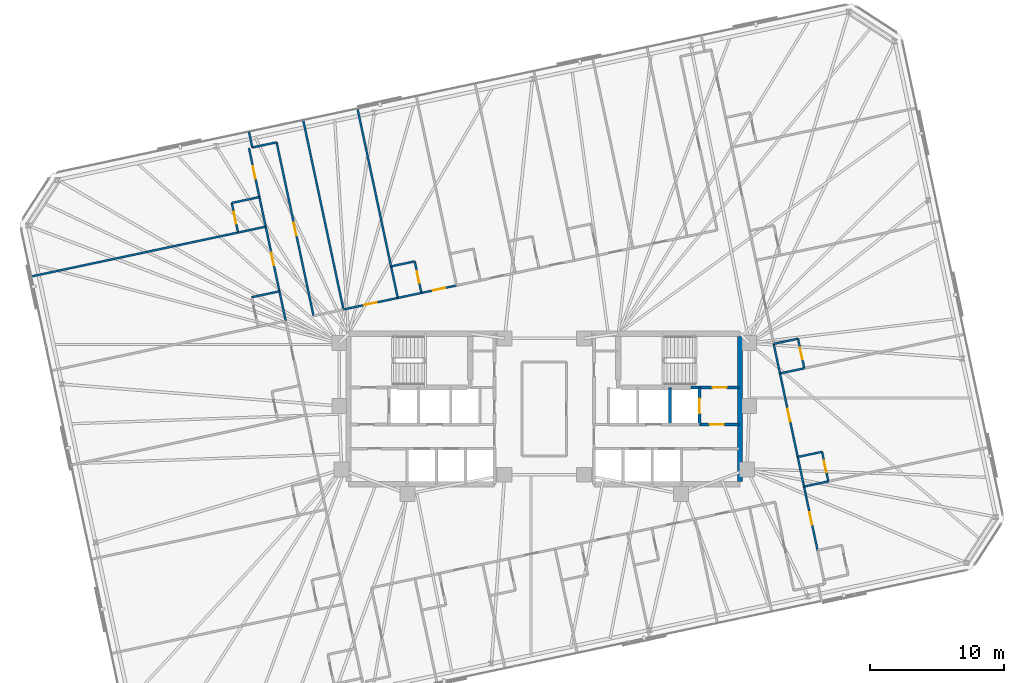
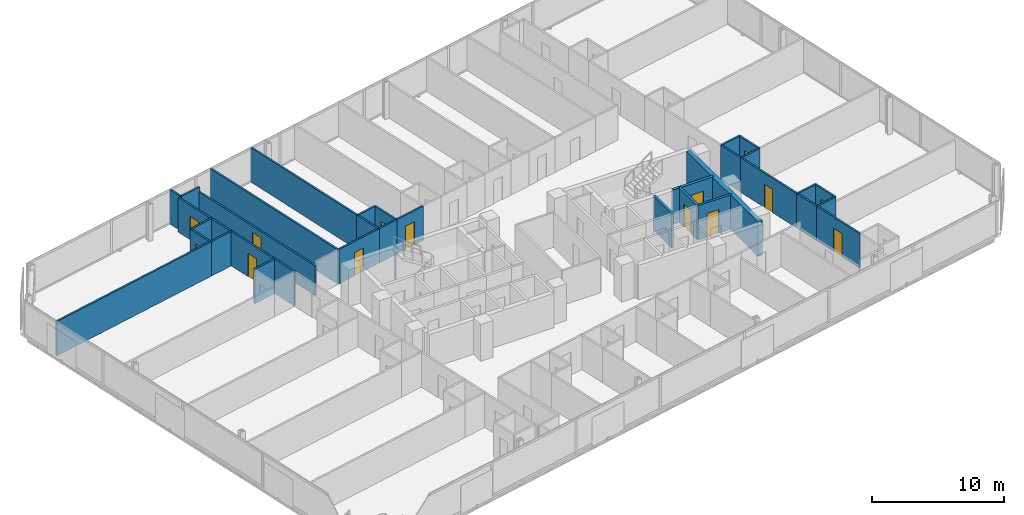
# One storey, part 17 of 20: 35 walls, 14 doors, 14 openings.
"""IFC4 building model written with IfcOpenShell, lengths in metres."""

from ifc_helpers import new_model, si_unit, direction, frame, frame_2d, origin, place, context, subcontext, project, spatial, rectangle, extrude, material, layer, layer_set, type_object, element, fill, save


model = new_model("IFC4")

# Units and contexts
model_context = context("Model", 3, precision=1e-05, world=origin(), true_north=direction((0.0, 1.0)))
body_context = subcontext(model_context, "Body", "Model", "MODEL_VIEW")
ifc_project = project(units=[si_unit("LENGTHUNIT", "METRE"), si_unit("AREAUNIT", "SQUARE_METRE"), si_unit("VOLUMEUNIT", "CUBIC_METRE"), si_unit("PLANEANGLEUNIT", "RADIAN"), si_unit("MASSUNIT", "GRAM", prefix="KILO")], contexts=[model_context])

# Site, building, storey
site_placement = place(None, origin())
site = spatial("IfcSite", under=ifc_project, at=site_placement, CompositionType="ELEMENT")
building_placement = place(site_placement, origin())
building = spatial("IfcBuilding", under=site, at=building_placement, Name="Menara Jurai Vektor", CompositionType="ELEMENT")
storey_placement = place(building_placement, frame((0.0, 0.0, 185.39990234375)))
storey = spatial("IfcBuildingStorey", under=building, at=storey_placement, Name="L48", CompositionType="ELEMENT", Elevation=185.39990234375)

# Wall, opening, door
ifc_material_1 = material(Name="Concrete C40/50", Category="concrete")
ifc_layer_1 = layer(ifc_material_1, 0.25)
ifc_layer_set_1 = layer_set([ifc_layer_1], Name="Concrete C40/50")
wall_type_1 = type_object("IfcWallType", Name="INT-WALL-CORE-250", PredefinedType="STANDARD", material=ifc_layer_set_1)
wall_1_placement = place(storey_placement, frame((10.89990234375, 1.60009765625, 0.0), z_axis=(0.0, 0.0, 1.0), x_axis=(1.0, 0.0, 0.0)))
wall_1 = element("IfcWall", 1, at=wall_1_placement, inside=storey, type_object=wall_type_1, Name="Interior Wall IW-250 L48", PredefinedType="STANDARD", context=body_context, shape_type="SweptSolid", body=[
    extrude(rectangle(XDim=3.60009765625, YDim=0.25, at=frame_2d((1.800048828125, 0.0))), origin(), (0.0, 0.0, 1.0), 3.175048828125),
])
opening_1_placement = place(wall_1_placement, frame((1.6201171875, 0.0, 0.0)))
opening_1 = element("IfcOpeningElement", 2, at=opening_1_placement, cuts=wall_1, Name="Opening D-L48-ST2", PredefinedType="OPENING", context=body_context, shape_type="SweptSolid", body=[
    extrude(rectangle(XDim=1.050048828125, YDim=2.14990234375, at=frame_2d((0.52490234375, 1.074951171875))), frame((0.0, 0.135009765625, 0.0), z_axis=(0.0, -1.0, 0.0), x_axis=(1.0, 0.0, 0.0)), (0.0, 0.0, 1.0), 0.27001953125),
])
ifc_material_2 = material(Name="Fire-Rated Steel Door", Category="steel")
door_type_1 = type_object("IfcDoorType", Name="DR-STAIR-1050", OperationType="NOTDEFINED", PredefinedType="DOOR", material=ifc_material_2)
door_1_placement = place(opening_1_placement, origin())
door_1 = element("IfcDoor", 3, at=door_1_placement, inside=storey, type_object=door_type_1, Name="Exit Stair ST2 Door L48", OperationType="SINGLE_SWING_LEFT", OverallHeight=2.14990234375, OverallWidth=1.050048828125, PredefinedType="DOOR", context=body_context, shape_type="SweptSolid", body=[
    extrude(rectangle(XDim=1.050048828125, YDim=2.14990234375, at=frame_2d((0.52490234375, 1.074951171875))), frame((0.0, 0.02490234375, 0.0), z_axis=(0.0, -1.0, 0.0), x_axis=(1.0, 0.0, 0.0)), (0.0, 0.0, 1.0), 0.050048828125),
])
fill(opening_1, door_1)

wall_2_placement = place(storey_placement, frame((11.550048828125, -1.14990234375, 0.0), z_axis=(0.0, 0.0, 1.0), x_axis=(0.0, 1.0, 0.0)))
wall_2 = element("IfcWall", 4, at=wall_2_placement, inside=storey, type_object=wall_type_1, Name="Interior Wall IW-250 L48", PredefinedType="STANDARD", context=body_context, shape_type="SweptSolid", body=[
    extrude(rectangle(XDim=2.75, YDim=0.199951171875, at=frame_2d((1.375, 0.0))), origin(), (0.0, 0.0, 1.0), 3.175048828125),
])
opening_2_placement = place(wall_2_placement, frame((0.824951171875, 0.0, 0.0)))
opening_2 = element("IfcOpeningElement", 5, at=opening_2_placement, cuts=wall_2, Name="Opening LD-L48-FL2", PredefinedType="OPENING", context=body_context, shape_type="SweptSolid", body=[
    extrude(rectangle(XDim=1.10009765625, YDim=2.14990234375, at=frame_2d((0.550048828125, 1.074951171875))), frame((0.0, 0.10986328125, 0.0), z_axis=(0.0, -1.0, 0.0), x_axis=(1.0, 0.0, 0.0)), (0.0, 0.0, 1.0), 0.219970703125),
])
ifc_material_3 = material(Name="Stainless Steel Sliding Lift Landing Door", Category="steel")
door_type_2 = type_object("IfcDoorType", Name="DR-LIFT-FIRE-1100", OperationType="NOTDEFINED", PredefinedType="DOOR", material=ifc_material_3)
door_2_placement = place(opening_2_placement, origin())
door_2 = element("IfcDoor", 6, at=door_2_placement, inside=storey, type_object=door_type_2, Name="Lift Landing Door FL2 L48", OperationType="SLIDING_TO_RIGHT", OverallHeight=2.14990234375, OverallWidth=1.10009765625, PredefinedType="DOOR", context=body_context, shape_type="SweptSolid", body=[
    extrude(rectangle(XDim=1.10009765625, YDim=2.14990234375, at=frame_2d((0.550048828125, 1.074951171875))), frame((0.0, 0.02490234375, 0.0), z_axis=(0.0, -1.0, 0.0), x_axis=(1.0, 0.0, 0.0)), (0.0, 0.0, 1.0), 0.050048828125),
])
fill(opening_2, door_2)

# Wall
wall_3_placement = place(storey_placement, frame((9.35009765625, -1.14990234375, 0.0), z_axis=(0.0, 0.0, 1.0), x_axis=(0.0, 1.0, 0.0)))
element("IfcWall", 7, at=wall_3_placement, inside=storey, type_object=wall_type_1, Name="Interior Wall IW-250 L48", PredefinedType="STANDARD", context=body_context, shape_type="SweptSolid", body=[
    extrude(rectangle(XDim=2.75, YDim=0.199951171875, at=frame_2d((1.375, 0.0))), origin(), (0.0, 0.0, 1.0), 3.175048828125),
])

# Wall, opening, door
wall_4_placement = place(storey_placement, frame((11.550048828125, -1.14990234375, 0.0), z_axis=(0.0, 0.0, 1.0), x_axis=(1.0, 0.0, 0.0)))
wall_4 = element("IfcWall", 8, at=wall_4_placement, inside=storey, type_object=wall_type_1, Name="Interior Wall IW-250 L48", PredefinedType="STANDARD", context=body_context, shape_type="SweptSolid", body=[
    extrude(rectangle(XDim=2.949951171875, YDim=0.199951171875, at=frame_2d((1.47509765625, 0.0))), origin(), (0.0, 0.0, 1.0), 3.175048828125),
])
opening_3_placement = place(wall_4_placement, frame((0.75, 0.0, 0.0)))
opening_3 = element("IfcOpeningElement", 9, at=opening_3_placement, cuts=wall_4, Name="Opening D-L48-FFE", PredefinedType="OPENING", context=body_context, shape_type="SweptSolid", body=[
    extrude(rectangle(XDim=1.050048828125, YDim=2.179931640625, at=frame_2d((0.52490234375, 1.08984375))), frame((0.0, 0.10986328125, 0.0), z_axis=(0.0, -1.0, 0.0), x_axis=(1.0, 0.0, 0.0)), (0.0, 0.0, 1.0), 0.219970703125),
])
ifc_material_4 = material(Name="Fire-Rated Timber Door", Category="wood")
door_type_3 = type_object("IfcDoorType", Name="DR-LOBBY-1050", OperationType="NOTDEFINED", PredefinedType="DOOR", material=ifc_material_4)
door_3_placement = place(opening_3_placement, origin())
door_3 = element("IfcDoor", 10, at=door_3_placement, inside=storey, type_object=door_type_3, Name="Fire Lift Lobby Door E L48", OperationType="SINGLE_SWING_LEFT", OverallHeight=2.179931640625, OverallWidth=1.050048828125, PredefinedType="DOOR", context=body_context, shape_type="SweptSolid", body=[
    extrude(rectangle(XDim=1.050048828125, YDim=2.179931640625, at=frame_2d((0.52490234375, 1.08984375))), frame((0.0, 0.02490234375, 0.0), z_axis=(0.0, -1.0, 0.0), x_axis=(1.0, 0.0, 0.0)), (0.0, 0.0, 1.0), 0.050048828125),
])
fill(opening_3, door_3)

# Wall
ifc_material_5 = material(Name="Gypsum Fireboard Partition", Category="gypsum")
ifc_layer_2 = layer(ifc_material_5, 0.14990234375)
ifc_layer_set_2 = layer_set([ifc_layer_2], Name="Gypsum Fireboard Partition")
wall_type_2 = type_object("IfcWallType", Name="INT-WALL-CORR-150", PredefinedType="PARTITIONING", material=ifc_layer_set_2)
wall_5_placement = place(storey_placement, frame((-21.71533203125, 19.447998046875, 0.0), z_axis=(0.0, 0.0, 1.0), x_axis=(0.978160192495, 0.207852442415, 0.0)))
element("IfcWall", 11, at=wall_5_placement, inside=storey, type_object=wall_type_2, Name="Interior Wall IW-150 L48", PredefinedType="PARTITIONING", context=body_context, shape_type="SweptSolid", body=[
    extrude(rectangle(XDim=1.849853515625, YDim=0.14990234375, at=frame_2d((0.9248046875, 0.0))), origin(), (0.0, 0.0, 1.0), 3.175048828125),
])

# Wall, opening, door
wall_6_placement = place(storey_placement, frame((-14.935302734375, 7.3994140625, 0.0), z_axis=(0.0, 0.0, 1.0), x_axis=(0.978153289129, 0.20788492722, 0.0)))
wall_6 = element("IfcWall", 12, at=wall_6_placement, inside=storey, type_object=wall_type_2, Name="Interior Wall IW-150 L48", PredefinedType="PARTITIONING", context=body_context, shape_type="SweptSolid", body=[
    extrude(rectangle(XDim=4.1279296875, YDim=0.14990234375, at=frame_2d((2.06396484375, 0.0))), origin(), (0.0, 0.0, 1.0), 3.175048828125),
])
opening_4_placement = place(wall_6_placement, frame((1.60400390625, 0.0, 0.0)))
opening_4 = element("IfcOpeningElement", 13, at=opening_4_placement, cuts=wall_6, Name="Opening D48-08", PredefinedType="OPENING", context=body_context, shape_type="SweptSolid", body=[
    extrude(rectangle(XDim=0.919921875, YDim=2.14990234375, at=frame_2d((0.4599609375, 1.074951171875))), frame((0.0, 0.0849609375, 0.0), z_axis=(0.0, -1.0, 0.0), x_axis=(1.0, 0.0, 0.0)), (0.0, 0.0, 1.0), 0.169921875),
])
ifc_material_6 = material(Name="Solid Core Timber Fire Door", Category="wood")
door_type_4 = type_object("IfcDoorType", Name="DR-ENTRY-950", OperationType="NOTDEFINED", PredefinedType="DOOR", material=ifc_material_6)
door_4_placement = place(opening_4_placement, origin())
door_4 = element("IfcDoor", 14, at=door_4_placement, inside=storey, type_object=door_type_4, Name="Interior Door D48-08", OperationType="SINGLE_SWING_LEFT", OverallHeight=2.14990234375, OverallWidth=0.919921875, PredefinedType="DOOR", context=body_context, shape_type="SweptSolid", body=[
    extrude(rectangle(XDim=0.919921875, YDim=2.14990234375, at=frame_2d((0.4599609375, 1.074951171875))), frame((0.0, 0.02490234375, 0.0), z_axis=(0.0, -1.0, 0.0), x_axis=(1.0, 0.0, 0.0)), (0.0, 0.0, 1.0), 0.050048828125),
])
fill(opening_4, door_4)

wall_7_placement = place(storey_placement, frame((-9.13671875, 8.6318359375, 0.0), z_axis=(0.0, 0.0, 1.0), x_axis=(0.978158153975, 0.207862035524, 0.0)))
wall_7 = element("IfcWall", 15, at=wall_7_placement, inside=storey, type_object=wall_type_2, Name="Interior Wall IW-150 L48", PredefinedType="PARTITIONING", context=body_context, shape_type="SweptSolid", body=[
    extrude(rectangle(XDim=2.6708984375, YDim=0.14990234375, at=frame_2d((1.33544921875, 0.0))), origin(), (0.0, 0.0, 1.0), 3.175048828125),
])
opening_5_placement = place(wall_7_placement, frame((0.87548828125, 0.0, 0.0)))
opening_5 = element("IfcOpeningElement", 16, at=opening_5_placement, cuts=wall_7, Name="Opening D48-09", PredefinedType="OPENING", context=body_context, shape_type="SweptSolid", body=[
    extrude(rectangle(XDim=0.919921875, YDim=2.14990234375, at=frame_2d((0.4599609375, 1.074951171875))), frame((0.0, 0.0849609375, 0.0), z_axis=(0.0, -1.0, 0.0), x_axis=(1.0, 0.0, 0.0)), (0.0, 0.0, 1.0), 0.169921875),
])
door_5_placement = place(opening_5_placement, origin())
door_5 = element("IfcDoor", 17, at=door_5_placement, inside=storey, type_object=door_type_4, Name="Interior Door D48-09", OperationType="SINGLE_SWING_RIGHT", OverallHeight=2.14990234375, OverallWidth=0.919921875, PredefinedType="DOOR", context=body_context, shape_type="SweptSolid", body=[
    extrude(rectangle(XDim=0.919921875, YDim=2.14990234375, at=frame_2d((0.4599609375, 1.074951171875))), frame((0.0, 0.02490234375, 0.0), z_axis=(0.0, -1.0, 0.0), x_axis=(1.0, 0.0, 0.0)), (0.0, 0.0, 1.0), 0.050048828125),
])
fill(opening_5, door_5)

# Wall
wall_8_placement = place(storey_placement, frame((-10.8974609375, 8.257568359375, 0.0), z_axis=(0.0, 0.0, 1.0), x_axis=(0.978146440129, 0.207917150959, 0.0)))
element("IfcWall", 18, at=wall_8_placement, inside=storey, type_object=wall_type_2, Name="Interior Wall IW-150 L48", PredefinedType="PARTITIONING", context=body_context, shape_type="SweptSolid", body=[
    extrude(rectangle(XDim=1.800048828125, YDim=0.14990234375, at=frame_2d((0.89990234375, 0.0))), origin(), (0.0, 0.0, 1.0), 3.175048828125),
])

# Wall, opening, door
wall_9_placement = place(storey_placement, frame((-19.697265625, 8.750732421875, 0.0), z_axis=(0.0, 0.0, 1.0), x_axis=(-0.207887265829, 0.978152792107, 0.0)))
wall_9 = element("IfcWall", 19, at=wall_9_placement, inside=storey, type_object=wall_type_2, Name="Interior Wall IW-150 L48", PredefinedType="PARTITIONING", context=body_context, shape_type="SweptSolid", body=[
    extrude(rectangle(XDim=4.916015625, YDim=0.14990234375, at=frame_2d((2.4580078125, 0.0))), origin(), (0.0, 0.0, 1.0), 3.175048828125),
])
opening_6_placement = place(wall_9_placement, frame((1.98291015625, 0.0, 0.0)))
opening_6 = element("IfcOpeningElement", 20, at=opening_6_placement, cuts=wall_9, Name="Opening D48-38", PredefinedType="OPENING", context=body_context, shape_type="SweptSolid", body=[
    extrude(rectangle(XDim=0.949951171875, YDim=2.14990234375, at=frame_2d((0.47509765625, 1.074951171875))), frame((0.0, 0.0849609375, 0.0), z_axis=(0.0, -1.0, 0.0), x_axis=(1.0, 0.0, 0.0)), (0.0, 0.0, 1.0), 0.169921875),
])
door_6_placement = place(opening_6_placement, origin())
door_6 = element("IfcDoor", 21, at=door_6_placement, inside=storey, type_object=door_type_4, Name="Interior Door D48-38", OperationType="SINGLE_SWING_LEFT", OverallHeight=2.14990234375, OverallWidth=0.949951171875, PredefinedType="DOOR", context=body_context, shape_type="SweptSolid", body=[
    extrude(rectangle(XDim=0.949951171875, YDim=2.14990234375, at=frame_2d((0.47509765625, 1.074951171875))), frame((0.0, 0.02490234375, 0.0), z_axis=(0.0, -1.0, 0.0), x_axis=(1.0, 0.0, 0.0)), (0.0, 0.0, 1.0), 0.050048828125),
])
fill(opening_6, door_6)

# Wall
wall_10_placement = place(storey_placement, frame((-19.2294921875, 6.5498046875, 0.0), z_axis=(0.0, 0.0, 1.0), x_axis=(-0.207891197838, 0.978151956427, 0.0)))
element("IfcWall", 22, at=wall_10_placement, inside=storey, type_object=wall_type_2, Name="Interior Wall IW-150 L48", PredefinedType="PARTITIONING", context=body_context, shape_type="SweptSolid", body=[
    extrude(rectangle(XDim=2.25, YDim=0.14990234375, at=frame_2d((1.125, 0.0))), origin(), (0.0, 0.0, 1.0), 3.175048828125),
])

# Wall, opening, door
wall_11_placement = place(storey_placement, frame((-21.18701171875, 15.76025390625, 0.0), z_axis=(0.0, 0.0, 1.0), x_axis=(-0.207949879289, 0.978139482745, 0.0)))
wall_11 = element("IfcWall", 23, at=wall_11_placement, inside=storey, type_object=wall_type_2, Name="Interior Wall IW-150 L48", PredefinedType="PARTITIONING", context=body_context, shape_type="SweptSolid", body=[
    extrude(rectangle(XDim=3.717041015625, YDim=0.14990234375, at=frame_2d((1.8583984375, 0.0))), origin(), (0.0, 0.0, 1.0), 3.175048828125),
])
opening_7_placement = place(wall_11_placement, frame((1.383544921875, 0.0, 0.0)))
opening_7 = element("IfcOpeningElement", 24, at=opening_7_placement, cuts=wall_11, Name="Opening D48-40", PredefinedType="OPENING", context=body_context, shape_type="SweptSolid", body=[
    extrude(rectangle(XDim=0.949951171875, YDim=2.14990234375, at=frame_2d((0.47509765625, 1.074951171875))), frame((0.0, 0.0849609375, 0.0), z_axis=(0.0, -1.0, 0.0), x_axis=(1.0, 0.0, 0.0)), (0.0, 0.0, 1.0), 0.169921875),
])
door_7_placement = place(opening_7_placement, origin())
door_7 = element("IfcDoor", 25, at=door_7_placement, inside=storey, type_object=door_type_4, Name="Interior Door D48-40", OperationType="SINGLE_SWING_LEFT", OverallHeight=2.14990234375, OverallWidth=0.949951171875, PredefinedType="DOOR", context=body_context, shape_type="SweptSolid", body=[
    extrude(rectangle(XDim=0.949951171875, YDim=2.14990234375, at=frame_2d((0.47509765625, 1.074951171875))), frame((0.0, 0.02490234375, 0.0), z_axis=(0.0, -1.0, 0.0), x_axis=(1.0, 0.0, 0.0)), (0.0, 0.0, 1.0), 0.050048828125),
])
fill(opening_7, door_7)

# Wall
wall_12_placement = place(storey_placement, frame((-20.71923828125, 13.559326171875, 0.0), z_axis=(0.0, 0.0, 1.0), x_axis=(-0.207891197838, 0.978151956427, 0.0)))
element("IfcWall", 26, at=wall_12_placement, inside=storey, type_object=wall_type_2, Name="Interior Wall IW-150 L48", PredefinedType="PARTITIONING", context=body_context, shape_type="SweptSolid", body=[
    extrude(rectangle(XDim=2.25, YDim=0.14990234375, at=frame_2d((1.125, 0.0))), origin(), (0.0, 0.0, 1.0), 3.175048828125),
])

# Wall, opening, door
wall_13_placement = place(storey_placement, frame((20.328125, -10.515380859375, 0.0), z_axis=(0.0, 0.0, 1.0), x_axis=(-0.207950868925, 0.97813927235, 0.0)))
wall_13 = element("IfcWall", 27, at=wall_13_placement, inside=storey, type_object=wall_type_2, Name="Interior Wall IW-150 L48", PredefinedType="PARTITIONING", context=body_context, shape_type="SweptSolid", body=[
    extrude(rectangle(XDim=4.849853515625, YDim=0.14990234375, at=frame_2d((2.4248046875, 0.0))), origin(), (0.0, 0.0, 1.0), 3.175048828125),
])
opening_8_placement = place(wall_13_placement, frame((1.949951171875, 0.0, 0.0)))
opening_8 = element("IfcOpeningElement", 28, at=opening_8_placement, cuts=wall_13, Name="Opening D48-42", PredefinedType="OPENING", context=body_context, shape_type="SweptSolid", body=[
    extrude(rectangle(XDim=0.949951171875, YDim=2.14990234375, at=frame_2d((0.47509765625, 1.074951171875))), frame((0.0, 0.0849609375, 0.0), z_axis=(0.0, -1.0, 0.0), x_axis=(1.0, 0.0, 0.0)), (0.0, 0.0, 1.0), 0.169921875),
])
door_8_placement = place(opening_8_placement, origin())
door_8 = element("IfcDoor", 29, at=door_8_placement, inside=storey, type_object=door_type_4, Name="Interior Door D48-42", OperationType="SINGLE_SWING_LEFT", OverallHeight=2.14990234375, OverallWidth=0.949951171875, PredefinedType="DOOR", context=body_context, shape_type="SweptSolid", body=[
    extrude(rectangle(XDim=0.949951171875, YDim=2.14990234375, at=frame_2d((0.47509765625, 1.074951171875))), frame((0.0, 0.02490234375, 0.0), z_axis=(0.0, -1.0, 0.0), x_axis=(1.0, 0.0, 0.0)), (0.0, 0.0, 1.0), 0.050048828125),
])
fill(opening_8, door_8)

wall_14_placement = place(storey_placement, frame((18.851806640625, -3.57080078125, 0.0), z_axis=(0.0, 0.0, 1.0), x_axis=(-0.207879907349, 0.978154355979, 0.0)))
wall_14 = element("IfcWall", 30, at=wall_14_placement, inside=storey, type_object=wall_type_2, Name="Interior Wall IW-150 L48", PredefinedType="PARTITIONING", context=body_context, shape_type="SweptSolid", body=[
    extrude(rectangle(XDim=6.35009765625, YDim=0.14990234375, at=frame_2d((3.175048828125, 0.0))), origin(), (0.0, 0.0, 1.0), 3.175048828125),
])
opening_9_placement = place(wall_14_placement, frame((2.699951171875, 0.0, 0.0)))
opening_9 = element("IfcOpeningElement", 31, at=opening_9_placement, cuts=wall_14, Name="Opening D48-44", PredefinedType="OPENING", context=body_context, shape_type="SweptSolid", body=[
    extrude(rectangle(XDim=0.949951171875, YDim=2.14990234375, at=frame_2d((0.47509765625, 1.074951171875))), frame((0.0, 0.0849609375, 0.0), z_axis=(0.0, -1.0, 0.0), x_axis=(1.0, 0.0, 0.0)), (0.0, 0.0, 1.0), 0.169921875),
])
door_9_placement = place(opening_9_placement, origin())
door_9 = element("IfcDoor", 32, at=door_9_placement, inside=storey, type_object=door_type_4, Name="Interior Door D48-44", OperationType="SINGLE_SWING_LEFT", OverallHeight=2.14990234375, OverallWidth=0.949951171875, PredefinedType="DOOR", context=body_context, shape_type="SweptSolid", body=[
    extrude(rectangle(XDim=0.949951171875, YDim=2.14990234375, at=frame_2d((0.47509765625, 1.074951171875))), frame((0.0, 0.02490234375, 0.0), z_axis=(0.0, -1.0, 0.0), x_axis=(1.0, 0.0, 0.0)), (0.0, 0.0, 1.0), 0.050048828125),
])
fill(opening_9, door_9)

# Walls
for number, where, z_axis, x_axis, name in (
    (33, (19.319580078125, -5.771484375, 0.0), (0.0, 0.0, 1.0), (-0.207913264065, 0.978147266328, 0.0), "Interior Wall IW-150 L48"),
    (34, (17.53173828125, 2.640625, 0.0), (0.0, 0.0, 1.0), (-0.207913264065, 0.978147266328, 0.0), "Interior Wall IW-150 L48"),
):
    element("IfcWall", number, at=place(storey_placement, frame(where, z_axis=z_axis, x_axis=x_axis)), inside=storey, type_object=wall_type_2, Name=name, PredefinedType="PARTITIONING", context=body_context, shape_type="SweptSolid", body=[
        extrude(rectangle(XDim=2.249755859375, YDim=0.14990234375, at=frame_2d((1.125, 0.0))), origin(), (0.0, 0.0, 1.0), 3.175048828125),
    ])
wall_15_placement = place(storey_placement, frame((-14.935302734375, 7.3994140625, 0.0), z_axis=(0.0, 0.0, 1.0), x_axis=(-0.207899121568, 0.978150272326, 0.0)))
element("IfcWall", 35, at=wall_15_placement, inside=storey, type_object=wall_type_2, Name="Interior Wall IW-150 L48", PredefinedType="PARTITIONING", context=body_context, shape_type="SweptSolid", body=[
    extrude(rectangle(XDim=14.394775390625, YDim=0.14990234375, at=frame_2d((7.197265625, 0.0))), origin(), (0.0, 0.0, 1.0), 3.175048828125),
])
wall_16_placement = place(storey_placement, frame((-21.71533203125, 19.447998046875, 0.0), z_axis=(0.0, 0.0, 1.0), x_axis=(-0.20795853359, 0.978137642823, 0.0)))
element("IfcWall", 36, at=wall_16_placement, inside=storey, type_object=wall_type_2, Name="Interior Wall IW-150 L48", PredefinedType="PARTITIONING", context=body_context, shape_type="SweptSolid", body=[
    extrude(rectangle(XDim=1.19970703125, YDim=0.14990234375, at=frame_2d((0.599853515625, 0.0))), origin(), (0.0, 0.0, 1.0), 3.175048828125),
])
wall_17_placement = place(storey_placement, frame((-11.396484375, 10.60498046875, 0.0), z_axis=(0.0, 0.0, 1.0), x_axis=(-0.207910848762, 0.978147779718, 0.0)))
element("IfcWall", 37, at=wall_17_placement, inside=storey, type_object=wall_type_2, Name="Interior Wall IW-150 L48", PredefinedType="PARTITIONING", context=body_context, shape_type="SweptSolid", body=[
    extrude(rectangle(XDim=11.9951171875, YDim=0.14990234375, at=frame_2d((5.99755859375, 0.0))), origin(), (0.0, 0.0, 1.0), 3.175048828125),
])
wall_18_placement = place(storey_placement, frame((-10.8974609375, 8.257568359375, 0.0), z_axis=(0.0, 0.0, 1.0), x_axis=(-0.207937840262, 0.978142042133, 0.0)))
element("IfcWall", 38, at=wall_18_placement, inside=storey, type_object=wall_type_2, Name="Interior Wall IW-150 L48", PredefinedType="PARTITIONING", context=body_context, shape_type="SweptSolid", body=[
    extrude(rectangle(XDim=2.39990234375, YDim=0.14990234375, at=frame_2d((1.199951171875, 0.0))), origin(), (0.0, 0.0, 1.0), 3.175048828125),
])
wall_19_placement = place(storey_placement, frame((-11.396484375, 10.60498046875, 0.0), z_axis=(0.0, 0.0, 1.0), x_axis=(0.978118849246, 0.208046909975, 0.0)))
element("IfcWall", 39, at=wall_19_placement, inside=storey, type_object=wall_type_2, Name="Interior Wall IW-150 L48", PredefinedType="PARTITIONING", context=body_context, shape_type="SweptSolid", body=[
    extrude(rectangle(XDim=1.800048828125, YDim=0.14990234375, at=frame_2d((0.89990234375, 0.0))), origin(), (0.0, 0.0, 1.0), 3.175048828125),
])

# Wall, opening, door
wall_20_placement = place(storey_placement, frame((-9.13671875, 8.6318359375, 0.0), z_axis=(0.0, 0.0, 1.0), x_axis=(-0.207917150959, 0.978146440129, 0.0)))
wall_20 = element("IfcWall", 40, at=wall_20_placement, inside=storey, type_object=wall_type_2, Name="Interior Wall IW-150 L48", PredefinedType="PARTITIONING", context=body_context, shape_type="SweptSolid", body=[
    extrude(rectangle(XDim=2.400146484375, YDim=0.14990234375, at=frame_2d((1.2001953125, 0.0))), origin(), (0.0, 0.0, 1.0), 3.175048828125),
])
opening_10_placement = place(wall_20_placement, frame((0.760009765625, 0.0, 0.0)))
opening_10 = element("IfcOpeningElement", 41, at=opening_10_placement, cuts=wall_20, Name="Opening D48-10", PredefinedType="OPENING", context=body_context, shape_type="SweptSolid", body=[
    extrude(rectangle(XDim=0.8798828125, YDim=2.14990234375, at=frame_2d((0.43994140625, 1.074951171875))), frame((0.0, 0.0849609375, 0.0), z_axis=(0.0, -1.0, 0.0), x_axis=(1.0, 0.0, 0.0)), (0.0, 0.0, 1.0), 0.169921875),
])
ifc_material_7 = material(Name="Moisture-Resistant Timber Door", Category="wood")
door_type_5 = type_object("IfcDoorType", Name="DR-BATH-880", OperationType="NOTDEFINED", PredefinedType="DOOR", material=ifc_material_7)
door_10_placement = place(opening_10_placement, origin())
door_10 = element("IfcDoor", 42, at=door_10_placement, inside=storey, type_object=door_type_5, Name="Interior Door D48-10", OperationType="SINGLE_SWING_LEFT", OverallHeight=2.14990234375, OverallWidth=0.8798828125, PredefinedType="DOOR", context=body_context, shape_type="SweptSolid", body=[
    extrude(rectangle(XDim=0.8798828125, YDim=2.14990234375, at=frame_2d((0.43994140625, 1.074951171875))), frame((0.0, 0.02490234375, 0.0), z_axis=(0.0, -1.0, 0.0), x_axis=(1.0, 0.0, 0.0)), (0.0, 0.0, 1.0), 0.050048828125),
])
fill(opening_10, door_10)

# Walls
wall_21_placement = place(storey_placement, frame((-21.751220703125, 8.314208984375, 0.0), z_axis=(0.0, 0.0, 1.0), x_axis=(0.978153236239, 0.207885176084, 0.0)))
element("IfcWall", 43, at=wall_21_placement, inside=storey, type_object=wall_type_2, Name="Interior Wall IW-150 L48", PredefinedType="PARTITIONING", context=body_context, shape_type="SweptSolid", body=[
    extrude(rectangle(XDim=2.099853515625, YDim=0.14990234375, at=frame_2d((1.0498046875, 0.0))), origin(), (0.0, 0.0, 1.0), 3.175048828125),
])
wall_22_placement = place(storey_placement, frame((-38.14794921875, 9.854736328125, 0.0), z_axis=(0.0, 0.0, 1.0), x_axis=(0.978146137903, 0.207918572776, 0.0)))
element("IfcWall", 44, at=wall_22_placement, inside=storey, type_object=wall_type_2, Name="Interior Wall IW-150 L48", PredefinedType="PARTITIONING", context=body_context, shape_type="SweptSolid", body=[
    extrude(rectangle(XDim=15.718017578125, YDim=0.14990234375, at=frame_2d((7.85888671875, 0.0))), origin(), (0.0, 0.0, 1.0), 3.175048828125),
])
wall_23_placement = place(storey_placement, frame((-22.7734375, 13.122802734375, 0.0), z_axis=(0.0, 0.0, 1.0), x_axis=(0.97815826, 0.207861536591, 0.0)))
element("IfcWall", 45, at=wall_23_placement, inside=storey, type_object=wall_type_2, Name="Interior Wall IW-150 L48", PredefinedType="PARTITIONING", context=body_context, shape_type="SweptSolid", body=[
    extrude(rectangle(XDim=2.10009765625, YDim=0.14990234375, at=frame_2d((1.050048828125, 0.0))), origin(), (0.0, 0.0, 1.0), 3.175048828125),
])

# Wall, opening, door
wall_24_placement = place(storey_placement, frame((-22.7734375, 13.122802734375, 0.0), z_axis=(0.0, 0.0, 1.0), x_axis=(-0.207913264065, 0.978147266328, 0.0)))
wall_24 = element("IfcWall", 46, at=wall_24_placement, inside=storey, type_object=wall_type_2, Name="Interior Wall IW-150 L48", PredefinedType="PARTITIONING", context=body_context, shape_type="SweptSolid", body=[
    extrude(rectangle(XDim=2.249755859375, YDim=0.14990234375, at=frame_2d((1.125, 0.0))), origin(), (0.0, 0.0, 1.0), 3.175048828125),
])
opening_11_placement = place(wall_24_placement, frame((0.68505859375, 0.0, 0.0)))
opening_11 = element("IfcOpeningElement", 47, at=opening_11_placement, cuts=wall_24, Name="Opening D48-41", PredefinedType="OPENING", context=body_context, shape_type="SweptSolid", body=[
    extrude(rectangle(XDim=0.8798828125, YDim=2.14990234375, at=frame_2d((0.43994140625, 1.074951171875))), frame((0.0, 0.0849609375, 0.0), z_axis=(0.0, -1.0, 0.0), x_axis=(1.0, 0.0, 0.0)), (0.0, 0.0, 1.0), 0.169921875),
])
door_11_placement = place(opening_11_placement, origin())
door_11 = element("IfcDoor", 48, at=door_11_placement, inside=storey, type_object=door_type_5, Name="Interior Door D48-41", OperationType="SINGLE_SWING_RIGHT", OverallHeight=2.14990234375, OverallWidth=0.8798828125, PredefinedType="DOOR", context=body_context, shape_type="SweptSolid", body=[
    extrude(rectangle(XDim=0.8798828125, YDim=2.14990234375, at=frame_2d((0.43994140625, 1.074951171875))), frame((0.0, 0.02490234375, 0.0), z_axis=(0.0, -1.0, 0.0), x_axis=(1.0, 0.0, 0.0)), (0.0, 0.0, 1.0), 0.050048828125),
])
fill(opening_11, door_11)

# Walls
wall_25_placement = place(storey_placement, frame((-23.2412109375, 15.323486328125, 0.0), z_axis=(0.0, 0.0, 1.0), x_axis=(0.978134617382, 0.207972763311, 0.0)))
element("IfcWall", 49, at=wall_25_placement, inside=storey, type_object=wall_type_2, Name="Interior Wall IW-150 L48", PredefinedType="PARTITIONING", context=body_context, shape_type="SweptSolid", body=[
    extrude(rectangle(XDim=2.10009765625, YDim=0.14990234375, at=frame_2d((1.050048828125, 0.0))), origin(), (0.0, 0.0, 1.0), 3.175048828125),
])
wall_26_placement = place(storey_placement, frame((19.319580078125, -5.771484375, 0.0), z_axis=(0.0, 0.0, 1.0), x_axis=(0.978165892835, 0.207825614625, 0.0)))
element("IfcWall", 50, at=wall_26_placement, inside=storey, type_object=wall_type_2, Name="Interior Wall IW-150 L48", PredefinedType="PARTITIONING", context=body_context, shape_type="SweptSolid", body=[
    extrude(rectangle(XDim=1.85009765625, YDim=0.14990234375, at=frame_2d((0.925048828125, 0.0))), origin(), (0.0, 0.0, 1.0), 3.175048828125),
])
wall_27_placement = place(storey_placement, frame((18.851806640625, -3.57080078125, 0.0), z_axis=(0.0, 0.0, 1.0), x_axis=(0.978139061018, 0.207951862966, 0.0)))
element("IfcWall", 51, at=wall_27_placement, inside=storey, type_object=wall_type_2, Name="Interior Wall IW-150 L48", PredefinedType="PARTITIONING", context=body_context, shape_type="SweptSolid", body=[
    extrude(rectangle(XDim=1.850341796875, YDim=0.14990234375, at=frame_2d((0.92529296875, 0.0))), origin(), (0.0, 0.0, 1.0), 3.175048828125),
])

# Wall, opening, door
wall_28_placement = place(storey_placement, frame((21.12939453125, -5.386962890625, 0.0), z_axis=(0.0, 0.0, 1.0), x_axis=(-0.207891197838, 0.978151956427, 0.0)))
wall_28 = element("IfcWall", 52, at=wall_28_placement, inside=storey, type_object=wall_type_2, Name="Interior Wall IW-150 L48", PredefinedType="PARTITIONING", context=body_context, shape_type="SweptSolid", body=[
    extrude(rectangle(XDim=2.25, YDim=0.14990234375, at=frame_2d((1.125, 0.0))), origin(), (0.0, 0.0, 1.0), 3.175048828125),
])
opening_12_placement = place(wall_28_placement, frame((0.68505859375, 0.0, 0.0)))
opening_12 = element("IfcOpeningElement", 53, at=opening_12_placement, cuts=wall_28, Name="Opening D48-45", PredefinedType="OPENING", context=body_context, shape_type="SweptSolid", body=[
    extrude(rectangle(XDim=0.8798828125, YDim=2.14990234375, at=frame_2d((0.43994140625, 1.074951171875))), frame((0.0, 0.0849609375, 0.0), z_axis=(0.0, -1.0, 0.0), x_axis=(1.0, 0.0, 0.0)), (0.0, 0.0, 1.0), 0.169921875),
])
door_12_placement = place(opening_12_placement, origin())
door_12 = element("IfcDoor", 54, at=door_12_placement, inside=storey, type_object=door_type_5, Name="Interior Door D48-45", OperationType="SINGLE_SWING_RIGHT", OverallHeight=2.14990234375, OverallWidth=0.8798828125, PredefinedType="DOOR", context=body_context, shape_type="SweptSolid", body=[
    extrude(rectangle(XDim=0.8798828125, YDim=2.14990234375, at=frame_2d((0.43994140625, 1.074951171875))), frame((0.0, 0.02490234375, 0.0), z_axis=(0.0, -1.0, 0.0), x_axis=(1.0, 0.0, 0.0)), (0.0, 0.0, 1.0), 0.050048828125),
])
fill(opening_12, door_12)

# Walls
wall_29_placement = place(storey_placement, frame((17.53173828125, 2.640625, 0.0), z_axis=(0.0, 0.0, 1.0), x_axis=(0.978160192495, 0.207852442415, 0.0)))
element("IfcWall", 55, at=wall_29_placement, inside=storey, type_object=wall_type_2, Name="Interior Wall IW-150 L48", PredefinedType="PARTITIONING", context=body_context, shape_type="SweptSolid", body=[
    extrude(rectangle(XDim=1.849853515625, YDim=0.14990234375, at=frame_2d((0.9248046875, 0.0))), origin(), (0.0, 0.0, 1.0), 3.175048828125),
])
wall_30_placement = place(storey_placement, frame((17.06396484375, 4.84130859375, 0.0), z_axis=(0.0, 0.0, 1.0), x_axis=(0.978133353907, 0.20797870558, 0.0)))
element("IfcWall", 56, at=wall_30_placement, inside=storey, type_object=wall_type_2, Name="Interior Wall IW-150 L48", PredefinedType="PARTITIONING", context=body_context, shape_type="SweptSolid", body=[
    extrude(rectangle(XDim=1.85009765625, YDim=0.14990234375, at=frame_2d((0.925048828125, 0.0))), origin(), (0.0, 0.0, 1.0), 3.175048828125),
])

# Wall, opening, door
wall_31_placement = place(storey_placement, frame((19.34130859375, 3.025146484375, 0.0), z_axis=(0.0, 0.0, 1.0), x_axis=(-0.207891197838, 0.978151956427, 0.0)))
wall_31 = element("IfcWall", 57, at=wall_31_placement, inside=storey, type_object=wall_type_2, Name="Interior Wall IW-150 L48", PredefinedType="PARTITIONING", context=body_context, shape_type="SweptSolid", body=[
    extrude(rectangle(XDim=2.25, YDim=0.14990234375, at=frame_2d((1.125, 0.0))), origin(), (0.0, 0.0, 1.0), 3.175048828125),
])
opening_13_placement = place(wall_31_placement, frame((0.68505859375, 0.0, 0.0)))
opening_13 = element("IfcOpeningElement", 58, at=opening_13_placement, cuts=wall_31, Name="Opening D48-47", PredefinedType="OPENING", context=body_context, shape_type="SweptSolid", body=[
    extrude(rectangle(XDim=0.8798828125, YDim=2.14990234375, at=frame_2d((0.43994140625, 1.074951171875))), frame((0.0, 0.0849609375, 0.0), z_axis=(0.0, -1.0, 0.0), x_axis=(1.0, 0.0, 0.0)), (0.0, 0.0, 1.0), 0.169921875),
])
door_13_placement = place(opening_13_placement, origin())
door_13 = element("IfcDoor", 59, at=door_13_placement, inside=storey, type_object=door_type_5, Name="Interior Door D48-47", OperationType="SINGLE_SWING_RIGHT", OverallHeight=2.14990234375, OverallWidth=0.8798828125, PredefinedType="DOOR", context=body_context, shape_type="SweptSolid", body=[
    extrude(rectangle(XDim=0.8798828125, YDim=2.14990234375, at=frame_2d((0.43994140625, 1.074951171875))), frame((0.0, 0.02490234375, 0.0), z_axis=(0.0, -1.0, 0.0), x_axis=(1.0, 0.0, 0.0)), (0.0, 0.0, 1.0), 0.050048828125),
])
fill(opening_13, door_13)

ifc_layer_3 = layer(ifc_material_5, 0.14990234375)
ifc_layer_set_3 = layer_set([ifc_layer_3], Name="Gypsum Fireboard Partition")
wall_type_3 = type_object("IfcWallType", Name="INT-WALL-CORR-150-H1", PredefinedType="PARTITIONING", material=ifc_layer_set_3)
wall_32_placement = place(storey_placement, frame((-17.162353515625, 6.92578125, 0.0), z_axis=(0.0, 0.0, 1.0), x_axis=(-0.207911421929, 0.978147657888, 0.0)))
wall_32 = element("IfcWall", 60, at=wall_32_placement, inside=storey, type_object=wall_type_3, Name="Interior Wall IW-150 L48", PredefinedType="PARTITIONING", context=body_context, shape_type="SweptSolid", body=[
    extrude(rectangle(XDim=13.195068359375, YDim=0.14990234375, at=frame_2d((6.59765625, 0.0))), origin(), (0.0, 0.0, 1.0), 2.72509765625),
])
opening_14_placement = place(wall_32_placement, frame((6.137451171875, 0.0, 0.0)))
opening_14 = element("IfcOpeningElement", 61, at=opening_14_placement, cuts=wall_32, Name="Opening D48-07", PredefinedType="OPENING", context=body_context, shape_type="SweptSolid", body=[
    extrude(rectangle(XDim=0.919921875, YDim=2.14990234375, at=frame_2d((0.4599609375, 1.074951171875))), frame((0.0, 0.0849609375, 0.0), z_axis=(0.0, -1.0, 0.0), x_axis=(1.0, 0.0, 0.0)), (0.0, 0.0, 1.0), 0.169921875),
])
door_14_placement = place(opening_14_placement, origin())
door_14 = element("IfcDoor", 62, at=door_14_placement, inside=storey, type_object=door_type_4, Name="Interior Door D48-07", OperationType="SINGLE_SWING_RIGHT", OverallHeight=2.14990234375, OverallWidth=0.919921875, PredefinedType="DOOR", context=body_context, shape_type="SweptSolid", body=[
    extrude(rectangle(XDim=0.919921875, YDim=2.14990234375, at=frame_2d((0.4599609375, 1.074951171875))), frame((0.0, 0.02490234375, 0.0), z_axis=(0.0, -1.0, 0.0), x_axis=(1.0, 0.0, 0.0)), (0.0, 0.0, 1.0), 0.050048828125),
])
fill(opening_14, door_14)

# Wall
ifc_material_8 = material(Name="Concrete C50/60", Category="concrete")
ifc_layer_4 = layer(ifc_material_8, 0.39990234375)
ifc_layer_set_4 = layer_set([ifc_layer_4], Name="Concrete C50/60")
wall_type_4 = type_object("IfcWallType", Name="STR-WALL-CORE400", PredefinedType="SHEAR", material=ifc_layer_set_4)
wall_33_placement = place(storey_placement, frame((14.56005859375, -5.39990234375, 0.0), z_axis=(0.0, 0.0, 1.0), x_axis=(0.0, 1.0, 0.0)))
element("IfcWall", 63, at=wall_33_placement, inside=storey, type_object=wall_type_4, Name="Core Shear Wall CW-E-E L48", PredefinedType="SHEAR", context=body_context, shape_type="SweptSolid", body=[
    extrude(rectangle(XDim=10.7998046875, YDim=0.39990234375, at=frame_2d((5.39990234375, 0.0))), origin(), (0.0, 0.0, 1.0), 3.175048828125),
])

save(model, "model.ifc")
